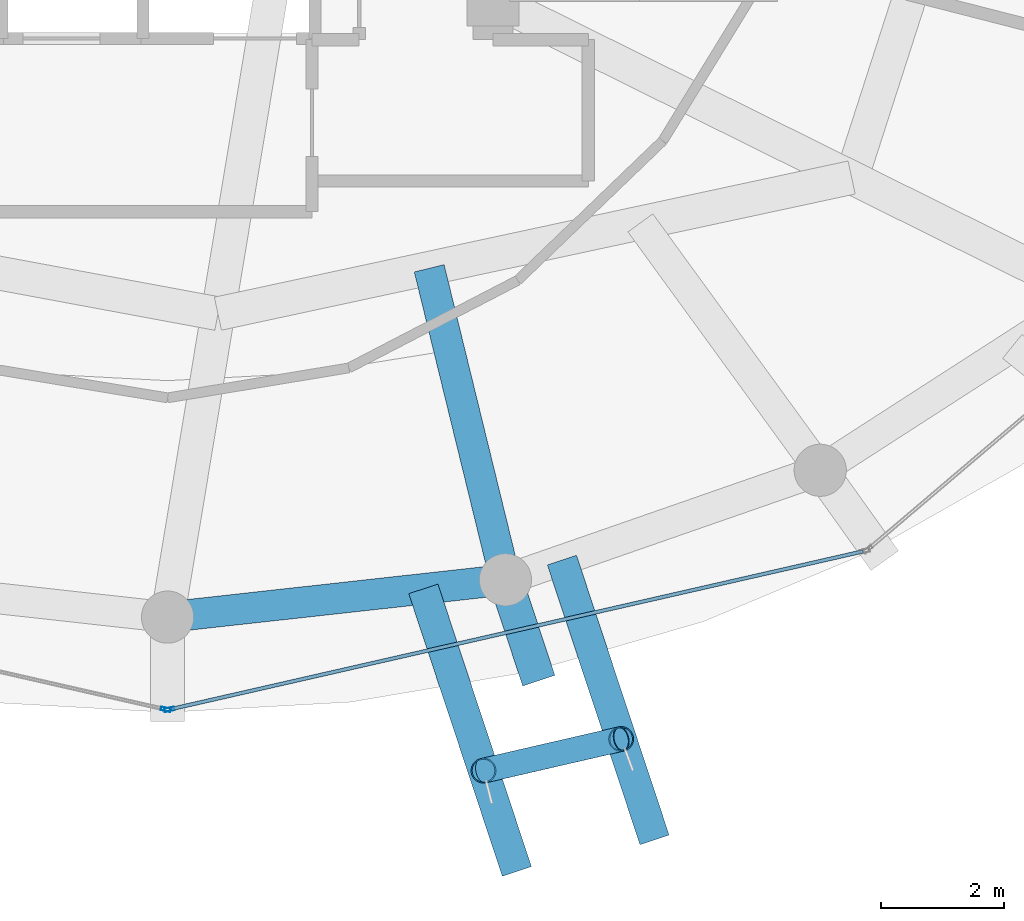
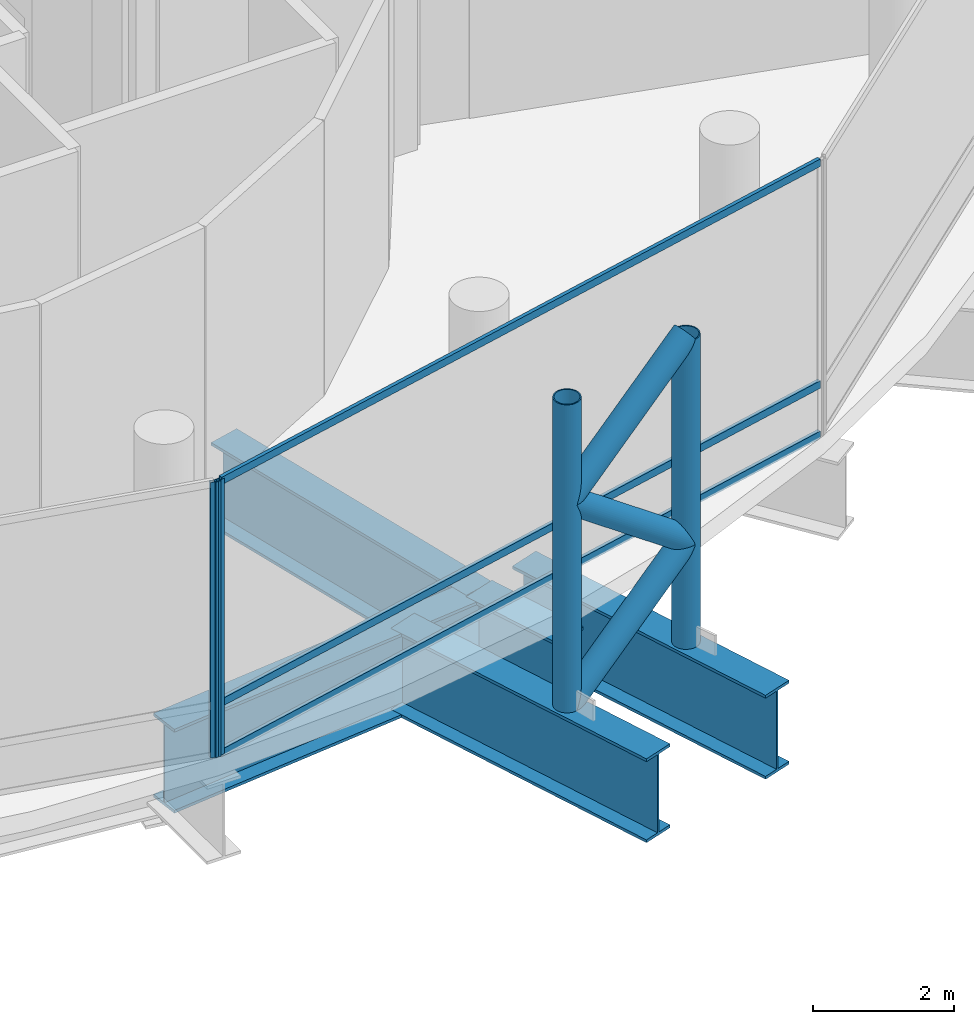
# One storey, part 4 of 31: 10 members, 5 beams, 2 elements without a shape of their own.
"""IFC4 building model written with IfcOpenShell, lengths in metres."""

from ifc_helpers import new_model, si_unit, direction, frame, origin, origin_2d, place, context, subcontext, project, spatial, hollow_rectangle, hollow_circle, i_section, extrude, material, layer, layer_set, material_profile, profile_set, type_object, element, aggregate, save


model = new_model("IFC4")

# Units and contexts
model_context = context("Model", 3, precision=1e-05, world=origin(), true_north=direction((0.0, 1.0)))
body_context = subcontext(model_context, "Body", "Model", "MODEL_VIEW")
ifc_project = project(units=[si_unit("LENGTHUNIT", "METRE"), si_unit("AREAUNIT", "SQUARE_METRE"), si_unit("VOLUMEUNIT", "CUBIC_METRE"), si_unit("PLANEANGLEUNIT", "RADIAN"), si_unit("MASSUNIT", "GRAM", prefix="KILO")], contexts=[model_context])

# Site, building, storey
site_placement = place(None, origin())
site = spatial("IfcSite", under=ifc_project, at=site_placement, CompositionType="ELEMENT")
building_placement = place(site_placement, origin())
building = spatial("IfcBuilding", under=site, at=building_placement, Name="Nuhasar Tower", CompositionType="ELEMENT")
storey_placement = place(building_placement, frame((0.0, 0.0, 203.14990234375)))
storey = spatial("IfcBuildingStorey", under=building, at=storey_placement, Name="L49", CompositionType="ELEMENT", Elevation=203.14990234375)

# Beams
ifc_material_1 = material(Name="Steel S460", Category="steel")
ifc_material_profile_1 = material_profile(ifc_material_1, i_section(OverallWidth=0.550048828125, OverallDepth=1.35009765625, WebThickness=0.028076171875, FlangeThickness=0.050048828125, at=origin_2d()), Name="PG1350X550")
ifc_profile_set_1 = profile_set([ifc_material_profile_1], Name="Steel S460")
beam_type_1 = type_object("IfcBeamType", Name="BM-XFER-PG1350", PredefinedType="USERDEFINED", material=ifc_profile_set_1)
beam_1_placement = place(storey_placement, frame((44.5, 9.55810546875, -0.994873046875), z_axis=(0.313940053742, -0.949442806417, 0.0), x_axis=(0.949442806417, 0.313940053742, 0.0)))
element("IfcBeam", 1, at=beam_1_placement, inside=storey, type_object=beam_type_1, Name="L49 Outer Column Step Transfer Girder 20", ObjectType="GIRDER", PredefinedType="USERDEFINED", context=body_context, shape_type="SweptSolid", body=[
    extrude(i_section(OverallWidth=0.550048828125, OverallDepth=1.35009765625, WebThickness=0.028076171875, FlangeThickness=0.050048828125, at=origin_2d()), origin(), (0.0, 0.0, 1.0), 1.7294921875),
])
ifc_material_profile_2 = material_profile(ifc_material_1, i_section(OverallWidth=0.5, OverallDepth=1.449951171875, WebThickness=0.028076171875, FlangeThickness=0.050048828125, at=origin_2d()), Name="PG1450X500")
ifc_profile_set_2 = profile_set([ifc_material_profile_2], Name="Steel S460")
beam_type_2 = type_object("IfcBeamType", Name="BM-XFER-PG1450", PredefinedType="USERDEFINED", material=ifc_profile_set_2)
beam_2_placement = place(storey_placement, frame((39.0, 8.949951171875, -1.044921875), z_axis=(0.993942242238, 0.109903680993, 0.0), x_axis=(-0.109903680993, 0.993942242238, 0.0)))
element("IfcBeam", 2, at=beam_2_placement, inside=storey, type_object=beam_type_2, Name="L49 Perimeter Ring Spandrel 19", ObjectType="GIRDER", PredefinedType="USERDEFINED", context=body_context, shape_type="SweptSolid", body=[
    extrude(i_section(OverallWidth=0.5, OverallDepth=1.449951171875, WebThickness=0.028076171875, FlangeThickness=0.050048828125, at=origin_2d()), origin(), (0.0, 0.0, 1.0), 5.533447265625),
])
beam_3_placement = place(storey_placement, frame((43.259033203125, 14.62890625, -1.044921875), z_axis=(0.23771295513, -0.971335447188, 0.0), x_axis=(0.971335447188, 0.23771295513, 0.0)))
element("IfcBeam", 3, at=beam_3_placement, inside=storey, type_object=beam_type_2, Name="L49 Inner Column Transfer Girder 20", ObjectType="GIRDER", PredefinedType="USERDEFINED", context=body_context, shape_type="SweptSolid", body=[
    extrude(i_section(OverallWidth=0.5, OverallDepth=1.449951171875, WebThickness=0.028076171875, FlangeThickness=0.050048828125, at=origin_2d()), origin(), (0.0, 0.0, 1.0), 5.220458984375),
])
beam_4_placement = place(storey_placement, frame((43.1640625, 9.409912109375, -1.044921875), z_axis=(0.314125764115, -0.949381379804, 0.0), x_axis=(0.949381379804, 0.314125764115, 0.0)))
element("IfcBeam", 4, at=beam_4_placement, inside=storey, type_object=beam_type_2, Name="L49 Exoskeleton Step Transfer Girder 19", ObjectType="GIRDER", PredefinedType="USERDEFINED", context=body_context, shape_type="SweptSolid", body=[
    extrude(i_section(OverallWidth=0.5, OverallDepth=1.449951171875, WebThickness=0.028076171875, FlangeThickness=0.050048828125, at=origin_2d()), origin(), (0.0, 0.0, 1.0), 4.84521484375),
])
beam_5_placement = place(storey_placement, frame((45.419921875, 9.8779296875, -1.044921875), z_axis=(0.314364482033, -0.949302360914, 0.0), x_axis=(0.949302360914, 0.314364482033, 0.0)))
element("IfcBeam", 5, at=beam_5_placement, inside=storey, type_object=beam_type_2, Name="L49 Exoskeleton Step Transfer Girder 20", ObjectType="GIRDER", PredefinedType="USERDEFINED", context=body_context, shape_type="SweptSolid", body=[
    extrude(i_section(OverallWidth=0.5, OverallDepth=1.449951171875, WebThickness=0.028076171875, FlangeThickness=0.050048828125, at=origin_2d()), origin(), (0.0, 0.0, 1.0), 4.797119140625),
])

# Curtain wall, member
ifc_material_2 = material(Name="Aluminium 6063-T6", Category="aluminium")
ifc_layer = layer(ifc_material_2, 0.239990234375)
ifc_layer_set = layer_set([ifc_layer], Name="Aluminium 6063-T6")
curtain_wall_type = type_object("IfcCurtainWallType", Name="CW-SKY-LBY", PredefinedType="NOTDEFINED", material=ifc_layer_set)
curtain_wall_1_placement = place(storey_placement, origin())
curtain_wall_1 = element("IfcCurtainWall", 6, at=curtain_wall_1_placement, inside=storey, type_object=curtain_wall_type, Name="L49 Unitised Curtain Wall 09", PredefinedType="NOTDEFINED")
ifc_material_profile_3 = material_profile(ifc_material_2, hollow_rectangle(XDim=0.06005859375, YDim=0.159912109375, WallThickness=0.0048828125, at=origin_2d()), Name="CWM-6")
ifc_profile_set_3 = profile_set([ifc_material_profile_3], Name="Aluminium 6063-T6")
member_type_1 = type_object("IfcMemberType", Name="CW-MUL-S6", PredefinedType="MULLION", material=ifc_profile_set_3)
member_1_placement = place(storey_placement, frame((38.970703125, 7.44677734375, 0.0), z_axis=(0.0, 0.0, 1.0), x_axis=(0.222243176313, 0.974991266926, 0.0)))
member_1 = element("IfcMember", 7, at=member_1_placement, type_object=member_type_1, Name="CW-SL mullion 2", PredefinedType="MULLION", context=body_context, shape_type="SweptSolid", body=[
    extrude(hollow_rectangle(XDim=0.06005859375, YDim=0.159912109375, WallThickness=0.0048828125, at=origin_2d()), origin(), (0.0, 0.0, 1.0), 4.760009765625),
])
aggregate(curtain_wall_1, [member_1])

# Curtain wall, members
curtain_wall_2_placement = place(storey_placement, origin())
curtain_wall_2 = element("IfcCurtainWall", 8, at=curtain_wall_2_placement, inside=storey, type_object=curtain_wall_type, Name="L49 Unitised Curtain Wall 10", PredefinedType="NOTDEFINED")
member_2_placement = place(storey_placement, frame((39.029296875, 7.44677734375, 0.0), z_axis=(0.0, 0.0, 1.0), x_axis=(-0.222243176313, 0.974991266926, 0.0)))
member_2 = element("IfcMember", 9, at=member_2_placement, type_object=member_type_1, Name="CW-SL mullion 1", PredefinedType="MULLION", context=body_context, shape_type="SweptSolid", body=[
    extrude(hollow_rectangle(XDim=0.06005859375, YDim=0.159912109375, WallThickness=0.0048828125, at=origin_2d()), origin(), (0.0, 0.0, 1.0), 4.760009765625),
])
ifc_material_profile_4 = material_profile(ifc_material_2, hollow_rectangle(XDim=0.06005859375, YDim=0.1298828125, WallThickness=0.00439453125, at=origin_2d()), Name="CWT-6")
ifc_profile_set_4 = profile_set([ifc_material_profile_4], Name="Aluminium 6063-T6")
member_type_2 = type_object("IfcMemberType", Name="CW-TRN-S6", PredefinedType="USERDEFINED", material=ifc_profile_set_4)
member_3_placement = place(storey_placement, frame((39.05859375, 7.453369140625, 0.030029296875), z_axis=(0.974990028275, 0.222248610265, 0.0), x_axis=(-0.222248610265, 0.974990028275, 0.0)))
member_3 = element("IfcMember", 10, at=member_3_placement, type_object=member_type_2, Name="CW-SL transom 1.1", ObjectType="TRANSOM", PredefinedType="USERDEFINED", context=body_context, shape_type="SweptSolid", body=[
    extrude(hollow_rectangle(XDim=0.06005859375, YDim=0.1298828125, WallThickness=0.00439453125, at=origin_2d()), origin(), (0.0, 0.0, 1.0), 11.5517578125),
])
member_4_placement = place(storey_placement, frame((39.05859375, 7.453369140625, 0.900146484375), z_axis=(0.974990028275, 0.222248610265, 0.0), x_axis=(-0.222248610265, 0.974990028275, 0.0)))
member_4 = element("IfcMember", 11, at=member_4_placement, type_object=member_type_2, Name="CW-SL transom 1.2", ObjectType="TRANSOM", PredefinedType="USERDEFINED", context=body_context, shape_type="SweptSolid", body=[
    extrude(hollow_rectangle(XDim=0.06005859375, YDim=0.1298828125, WallThickness=0.00439453125, at=origin_2d()), origin(), (0.0, 0.0, 1.0), 11.5517578125),
])
member_5_placement = place(storey_placement, frame((39.05859375, 7.453369140625, 4.72998046875), z_axis=(0.974990028275, 0.222248610265, 0.0), x_axis=(-0.222248610265, 0.974990028275, 0.0)))
member_5 = element("IfcMember", 12, at=member_5_placement, type_object=member_type_2, Name="CW-SL transom 1.3", ObjectType="TRANSOM", PredefinedType="USERDEFINED", context=body_context, shape_type="SweptSolid", body=[
    extrude(hollow_rectangle(XDim=0.06005859375, YDim=0.1298828125, WallThickness=0.00439453125, at=origin_2d()), origin(), (0.0, 0.0, 1.0), 11.5517578125),
])
aggregate(curtain_wall_2, [member_2, member_3, member_4, member_5])

# Members
ifc_material_profile_5 = material_profile(ifc_material_1, hollow_circle(Radius=0.203125, WallThickness=0.01904296875, at=origin_2d()), Name="HSS406.4X19.1")
ifc_profile_set_5 = profile_set([ifc_material_profile_5], Name="Steel S460")
member_type_3 = type_object("IfcMemberType", Name="EXO-BRONZE-406", PredefinedType="BRACE", material=ifc_profile_set_5)
for number, where, z_axis, x_axis, name in (
    (13, (44.14306640625, 6.450927734375, -0.31982421875), (0.0, 0.0, 1.0), (1.0, 0.0, 0.0), "L49 Exoskeleton Chord Column EC-10A"),
    (14, (46.384033203125, 6.967041015625, -0.31982421875), (0.0, 0.0, 1.0), (1.0, 0.0, 0.0), "L49 Exoskeleton Chord Column EC-10B"),
):
    element("IfcMember", number, at=place(storey_placement, frame(where, z_axis=z_axis, x_axis=x_axis)), inside=storey, type_object=member_type_3, Name=name, PredefinedType="BRACE", context=body_context, shape_type="SweptSolid", body=[
        extrude(hollow_circle(Radius=0.203125, WallThickness=0.01904296875, at=origin_2d()), origin(), (0.0, 0.0, 1.0), 5.31982421875),
    ])
member_6_placement = place(storey_placement, frame((44.14306640625, 6.450927734375, -0.31982421875), z_axis=(0.771754255103, 0.177741420121, 0.610576250197), x_axis=(-0.224433035437, 0.97448951385, 0.0)))
element("IfcMember", 15, at=member_6_placement, inside=storey, type_object=member_type_3, Name="L49 Bronze Diagrid Brace W1-10", PredefinedType="BRACE", context=body_context, shape_type="SweptSolid", body=[
    extrude(hollow_circle(Radius=0.203125, WallThickness=0.01904296875, at=origin_2d()), origin(), (0.0, 0.0, 1.0), 2.90380859375),
])
member_7_placement = place(storey_placement, frame((46.384033203125, 6.967041015625, 1.453125), z_axis=(-0.771595784612, -0.177704923049, 0.61078711962), x_axis=(0.224433035437, -0.97448951385, 0.0)))
element("IfcMember", 16, at=member_7_placement, inside=storey, type_object=member_type_3, Name="L49 Bronze Diagrid Brace W2-10", PredefinedType="BRACE", context=body_context, shape_type="SweptSolid", body=[
    extrude(hollow_circle(Radius=0.203125, WallThickness=0.01904296875, at=origin_2d()), origin(), (0.0, 0.0, 1.0), 2.904296875),
])
member_8_placement = place(storey_placement, frame((44.14306640625, 6.450927734375, 3.22705078125), z_axis=(0.771754255103, 0.177741420121, 0.610576250197), x_axis=(-0.224433035437, 0.97448951385, 0.0)))
element("IfcMember", 17, at=member_8_placement, inside=storey, type_object=member_type_3, Name="L49 Bronze Diagrid Brace W3-10", PredefinedType="BRACE", context=body_context, shape_type="SweptSolid", body=[
    extrude(hollow_circle(Radius=0.203125, WallThickness=0.01904296875, at=origin_2d()), origin(), (0.0, 0.0, 1.0), 2.90380859375),
])

save(model, "model.ifc")
